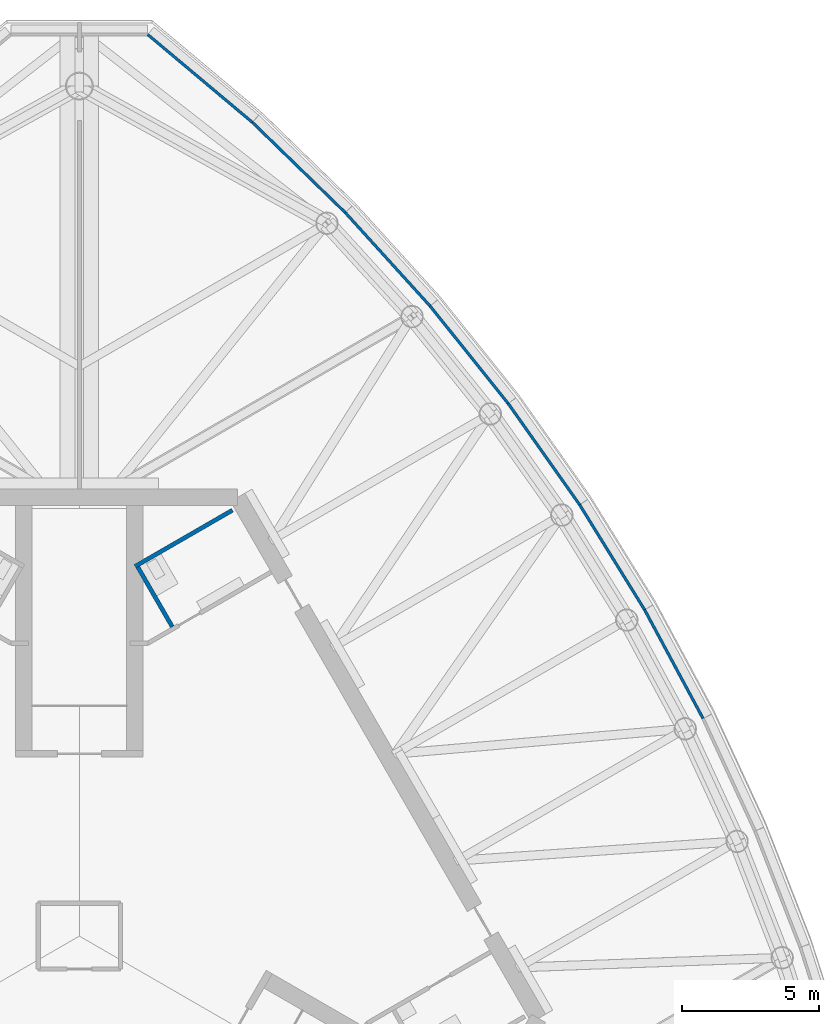
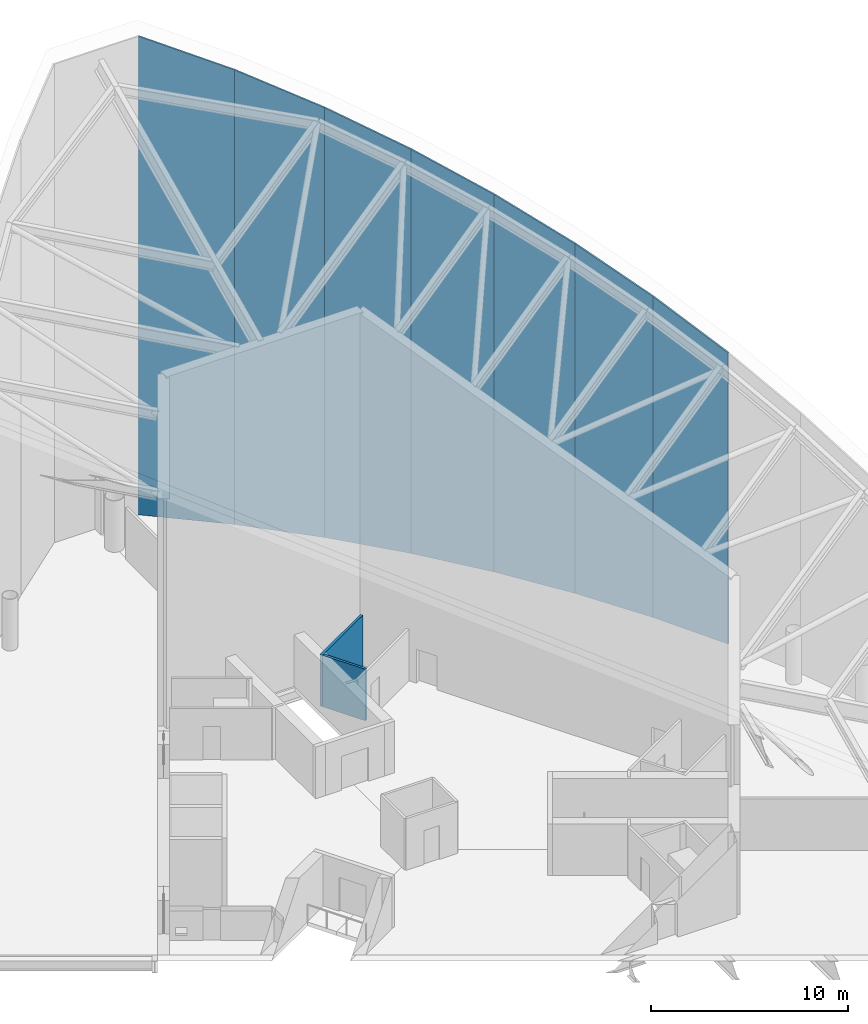
# One storey, part 7 of 10: 9 walls.
"""IFC4 building model written with IfcOpenShell, lengths in metres."""

from ifc_helpers import new_model, si_unit, direction, frame, frame_2d, origin, place, context, subcontext, project, spatial, polyline, rectangle, outline, extrude, material, layer, layer_set, type_object, element, save


model = new_model("IFC4")

# Units and contexts
model_context = context("Model", 3, precision=1e-05, world=origin(), true_north=direction((0.0, 1.0)))
body_context = subcontext(model_context, "Body", "Model", "MODEL_VIEW")
ifc_project = project(units=[si_unit("LENGTHUNIT", "METRE"), si_unit("AREAUNIT", "SQUARE_METRE"), si_unit("VOLUMEUNIT", "CUBIC_METRE"), si_unit("PLANEANGLEUNIT", "RADIAN"), si_unit("MASSUNIT", "GRAM", prefix="KILO")], contexts=[model_context])

# Site, building, storey
site_placement = place(None, origin())
site = spatial("IfcSite", under=ifc_project, at=site_placement, CompositionType="ELEMENT")
building_placement = place(site_placement, origin())
building = spatial("IfcBuilding", under=site, at=building_placement, Name="Trefoil Bronze Tower", CompositionType="ELEMENT")
storey_placement = place(building_placement, frame((0.0, 0.0, 328.5)))
storey = spatial("IfcBuildingStorey", under=building, at=storey_placement, Name="RF", CompositionType="ELEMENT", Elevation=328.5)

# Walls
ifc_material_1 = material(Name="Perforated bronze sheet", Category="bronze")
ifc_layer_1 = layer(ifc_material_1, 0.10009765625)
ifc_layer_set_1 = layer_set([ifc_layer_1], Name="Crown screen wall 100")
wall_type_1 = type_object("IfcWallType", Name="Crown screen wall 100", PredefinedType="USERDEFINED", material=ifc_layer_set_1)
wall_1_placement = place(storey_placement, frame((22.744873046875, 7.935546875, 0.0), z_axis=(0.0, 0.0, 1.0), x_axis=(-0.473566170147, 0.880758242932, 0.0)))
element("IfcWall", 1, at=wall_1_placement, inside=storey, type_object=wall_type_1, Name="Crown screen wall 18", ObjectType="SCREEN", PredefinedType="USERDEFINED", context=body_context, shape_type="SweptSolid", body=[
    extrude(outline(polyline([(0.0, 0.0), (4.502197265625, 0.0), (4.501953125, 19.921630859375), (0.0, 18.072509765625), (0.0, 0.0)])), frame((0.0, 0.050048828125, 0.0), z_axis=(0.0, -1.0, 0.0), x_axis=(1.0, 0.0, 0.0)), (0.0, 0.0, 1.0), 0.10009765625),
])
wall_2_placement = place(storey_placement, frame((20.61279296875, 11.90087890625, 0.0), z_axis=(0.0, 0.0, 1.0), x_axis=(-0.525981173851, 0.850496210899, 0.0)))
element("IfcWall", 2, at=wall_2_placement, inside=storey, type_object=wall_type_1, Name="Crown screen wall 19", ObjectType="SCREEN", PredefinedType="USERDEFINED", context=body_context, shape_type="SweptSolid", body=[
    extrude(outline(polyline([(0.0, 0.0), (4.501953125, 0.0), (4.501953125, 21.70703125), (0.0, 19.921630859375), (0.0, 0.0)])), frame((0.0, 0.050048828125, 0.0), z_axis=(0.0, -1.0, 0.0), x_axis=(1.0, 0.0, 0.0)), (0.0, 0.0, 1.0), 0.10009765625),
])
wall_3_placement = place(storey_placement, frame((18.244873046875, 15.729736328125, 0.0), z_axis=(0.0, 0.0, 1.0), x_axis=(-0.576572893039, 0.817045714151, 0.0)))
element("IfcWall", 3, at=wall_3_placement, inside=storey, type_object=wall_type_1, Name="Crown screen wall 20", ObjectType="SCREEN", PredefinedType="USERDEFINED", context=body_context, shape_type="SweptSolid", body=[
    extrude(outline(polyline([(0.0, 0.0), (4.518798828125, 0.0), (4.5185546875, 23.4287109375), (0.0, 21.70703125), (0.0, 0.0)])), frame((0.0, 0.050048828125, 0.0), z_axis=(0.0, -1.0, 0.0), x_axis=(1.0, 0.0, 0.0)), (0.0, 0.0, 1.0), 0.10009765625),
])
wall_4_placement = place(storey_placement, frame((15.639404296875, 19.421875, 0.0), z_axis=(0.0, 0.0, 1.0), x_axis=(-0.625290045305, 0.780392439252, 0.0)))
element("IfcWall", 4, at=wall_4_placement, inside=storey, type_object=wall_type_1, Name="Crown screen wall 21", ObjectType="SCREEN", PredefinedType="USERDEFINED", context=body_context, shape_type="SweptSolid", body=[
    extrude(outline(polyline([(0.0, 0.0), (4.55224609375, 0.0), (4.552490234375, 25.08544921875), (0.0, 23.4287109375), (0.0, 0.0)])), frame((0.0, 0.050048828125, 0.0), z_axis=(0.0, -1.0, 0.0), x_axis=(1.0, 0.0, 0.0)), (0.0, 0.0, 1.0), 0.10009765625),
])
wall_5_placement = place(storey_placement, frame((12.79296875, 22.974365234375, 0.0), z_axis=(0.0, 0.0, 1.0), x_axis=(-0.672107828981, 0.740453284295, 0.0)))
element("IfcWall", 5, at=wall_5_placement, inside=storey, type_object=wall_type_1, Name="Crown screen wall 22", ObjectType="SCREEN", PredefinedType="USERDEFINED", context=body_context, shape_type="SweptSolid", body=[
    extrude(outline(polyline([(0.0, 0.0), (4.6044921875, 0.0), (4.6044921875, 26.67529296875), (0.0, 25.08544921875), (0.0, 0.0)])), frame((0.0, 0.050048828125, 0.0), z_axis=(0.0, -1.0, 0.0), x_axis=(1.0, 0.0, 0.0)), (0.0, 0.0, 1.0), 0.10009765625),
])
wall_6_placement = place(storey_placement, frame((9.6982421875, 26.3837890625, 0.0), z_axis=(0.0, 0.0, 1.0), x_axis=(-0.717207108263, 0.696860074805, 0.0)))
element("IfcWall", 6, at=wall_6_placement, inside=storey, type_object=wall_type_1, Name="Crown screen wall 23", ObjectType="SCREEN", PredefinedType="USERDEFINED", context=body_context, shape_type="SweptSolid", body=[
    extrude(outline(polyline([(0.0, 0.0), (4.7275390625, 0.0), (4.7275390625, 28.21142578125), (0.0, 26.67529296875), (0.0, 0.0)])), frame((0.0, 0.050048828125, 0.0), z_axis=(0.0, -1.0, 0.0), x_axis=(1.0, 0.0, 0.0)), (0.0, 0.0, 1.0), 0.10009765625),
])
wall_7_placement = place(storey_placement, frame((6.3076171875, 29.67822265625, 0.0), z_axis=(0.0, 0.0, 1.0), x_axis=(-0.766059994953, 0.642769075277, 0.0)))
element("IfcWall", 7, at=wall_7_placement, inside=storey, type_object=wall_type_1, Name="Crown screen wall 24", ObjectType="SCREEN", PredefinedType="USERDEFINED", context=body_context, shape_type="SweptSolid", body=[
    extrude(outline(polyline([(0.0, 0.0), (4.982177734375, 0.0), (4.982177734375, 29.70458984375), (0.0, 28.21142578125), (0.0, 0.0)])), frame((0.0, 0.050048828125, 0.0), z_axis=(0.0, -1.0, 0.0), x_axis=(1.0, 0.0, 0.0)), (0.0, 0.0, 1.0), 0.10009765625),
])
ifc_material_2 = material(Name="Gypsum board on steel studs", Category="steel")
ifc_layer_2 = layer(ifc_material_2, 0.14990234375)
ifc_layer_set_2 = layer_set([ifc_layer_2], Name="Partition 150")
wall_type_2 = type_object("IfcWallType", Name="Partition 150", PredefinedType="PARTITIONING", material=ifc_layer_set_2)
wall_8_placement = place(storey_placement, frame((2.03125, 13.48193359375, 0.0), z_axis=(0.0, 0.0, 1.0), x_axis=(0.866050731258, 0.499956128963, 0.0)))
element("IfcWall", 8, at=wall_8_placement, inside=storey, type_object=wall_type_2, Name="WC partition WC (men) RF", PredefinedType="PARTITIONING", context=body_context, shape_type="SweptSolid", body=[
    extrude(rectangle(XDim=4.099853515625, YDim=0.14990234375, at=frame_2d((2.0498046875, 0.0))), origin(), (0.0, 0.0, 1.0), 3.199951171875),
])
wall_9_placement = place(storey_placement, frame((3.388671875, 11.28076171875, 0.0), z_axis=(0.0, 0.0, 1.0), x_axis=(-0.499989096993, 0.866031698547, 0.0)))
element("IfcWall", 9, at=wall_9_placement, inside=storey, type_object=wall_type_2, Name="WC partition WC (men) RF", PredefinedType="PARTITIONING", context=body_context, shape_type="SweptSolid", body=[
    extrude(rectangle(XDim=2.509765625, YDim=0.14990234375, at=frame_2d((1.2548828125, 0.0))), origin(), (0.0, 0.0, 1.0), 3.199951171875),
])

save(model, "model.ifc")
